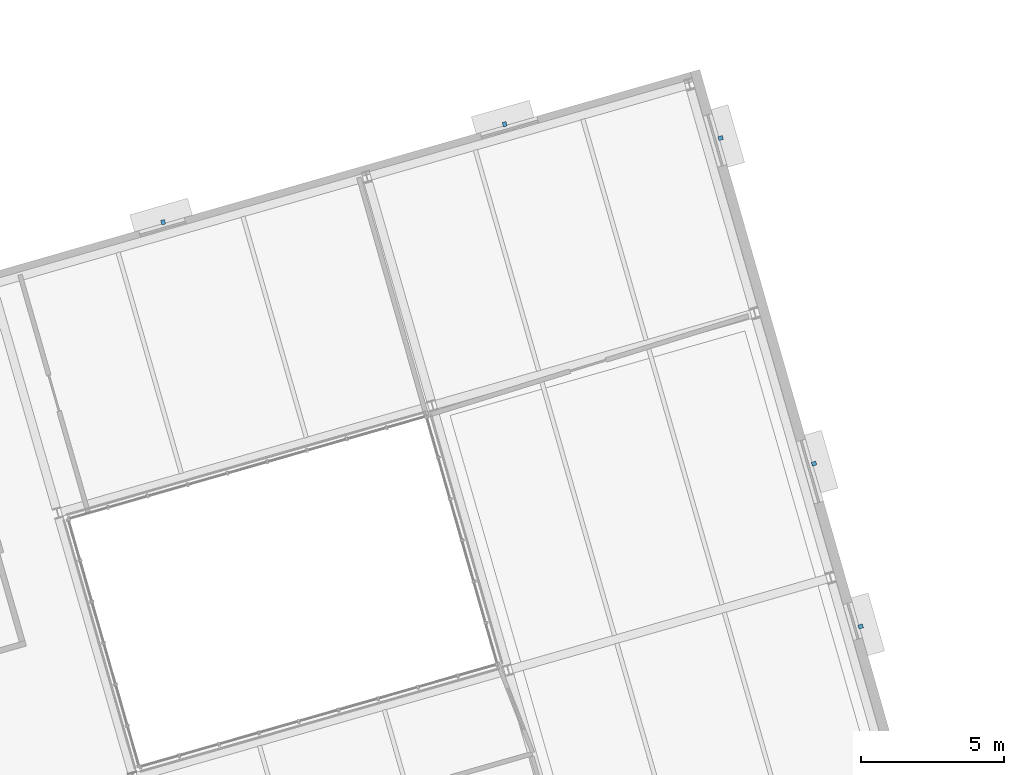
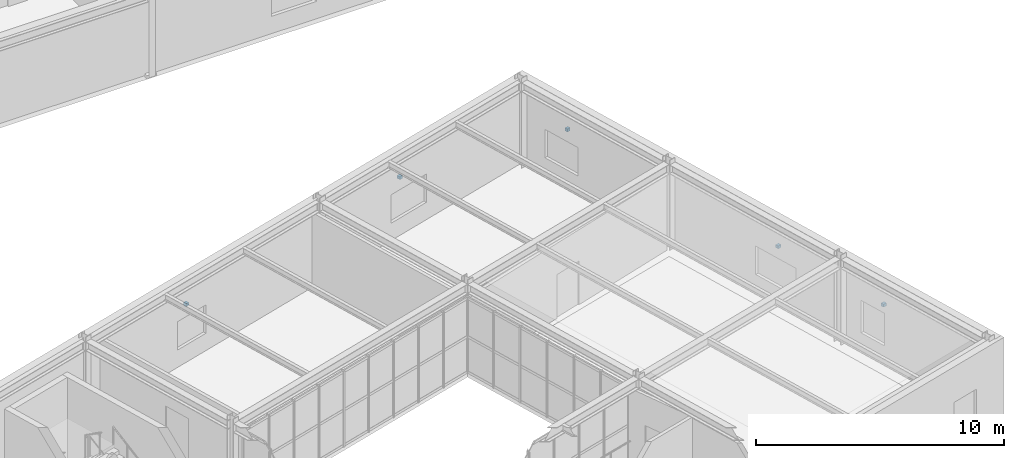
# One storey, part 88 of 103: 5 discrete accessories.
"""IFC4 building model written with IfcOpenShell, lengths in metres."""

from ifc_helpers import new_model, si_unit, direction, frame, origin, origin_2d, place, context, subcontext, project, spatial, rectangle, extrude, material, type_object, element, save


model = new_model("IFC4")

# Units and contexts
model_context = context("Model", 3, precision=1e-05, world=origin(), true_north=direction((0.0, 1.0)))
body_context = subcontext(model_context, "Body", "Model", "MODEL_VIEW")
ifc_project = project(units=[si_unit("LENGTHUNIT", "METRE"), si_unit("AREAUNIT", "SQUARE_METRE"), si_unit("VOLUMEUNIT", "CUBIC_METRE"), si_unit("PLANEANGLEUNIT", "RADIAN"), si_unit("MASSUNIT", "GRAM", prefix="KILO")], contexts=[model_context])

# Site, building, storey
site_placement = place(None, origin())
site = spatial("IfcSite", under=ifc_project, at=site_placement, CompositionType="ELEMENT")
building_placement = place(site_placement, origin())
building = spatial("IfcBuilding", under=site, at=building_placement, Name="Varnklinge Art Gallery", CompositionType="ELEMENT")
storey_placement = place(building_placement, frame((0.0, 0.0, 5.10009765625)))
storey = spatial("IfcBuildingStorey", under=building, at=storey_placement, Name="L01", CompositionType="ELEMENT", Elevation=5.10009765625)

# Discrete accessories
ifc_material = material(Name="Steel S355", Category="steel")
discrete_accessory_type = type_object("IfcDiscreteAccessoryType", Name="BRK-01", PredefinedType="BRACKET", material=ifc_material)
for number, where, z_axis, x_axis, name in (
    (1, (134.822265625, 40.3876953125, 2.43017578125), (0.0, 0.0, 1.0), (0.961261695938, 0.275637355817, 0.0), "L01 Fin Outrigger Bracket EW-V6-L01-02.3"),
    (2, (146.73779296875, 43.804443359375, 2.43017578125), (0.0, 0.0, 1.0), (0.961261695938, 0.275637355817, 0.0), "L01 Fin Outrigger Bracket EW-V6-L01-02.5"),
    (3, (154.2705078125, 43.322021484375, 2.43017578125), (0.0, 0.0, 1.0), (0.275637355817, -0.961261695938, 0.0), "L01 Fin Outrigger Bracket EW-V6-L01-03.1"),
    (4, (157.527099609375, 31.964599609375, 2.43017578125), (0.0, 0.0, 1.0), (0.275637355817, -0.961261695938, 0.0), "L01 Fin Outrigger Bracket EW-V6-L01-03.3"),
    (5, (159.155517578125, 26.2861328125, 2.43017578125), (0.0, 0.0, 1.0), (0.275637355817, -0.961261695938, 0.0), "L01 Fin Outrigger Bracket EW-V6-L01-03.4"),
):
    element("IfcDiscreteAccessory", number, at=place(storey_placement, frame(where, z_axis=z_axis, x_axis=x_axis)), inside=storey, type_object=discrete_accessory_type, Name=name, PredefinedType="BRACKET", context=body_context, shape_type="SweptSolid", body=[
        extrude(rectangle(XDim=0.139892578125, YDim=0.159912109375, at=origin_2d()), origin(), (0.0, 0.0, 1.0), 0.139892578125),
    ])

save(model, "model.ifc")
